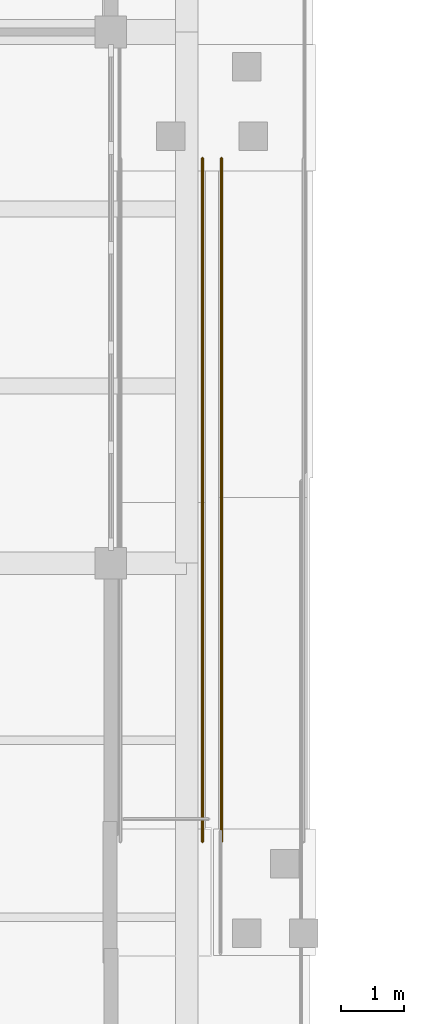
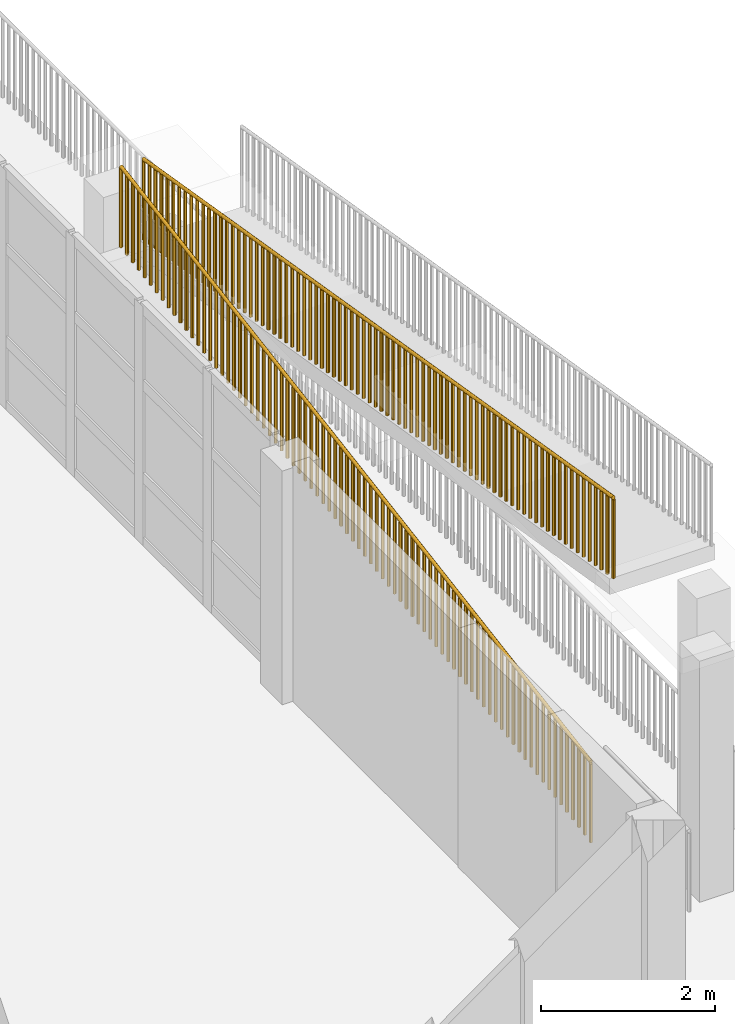
# One storey, part 31 of 33: 2 railings.
"""IFC4 building model written with IfcOpenShell, lengths in metres."""

from ifc_helpers import new_model, si_unit, direction, frame, origin, origin_2d, place, context, subcontext, project, spatial, circle, extrude, material, type_object, element, save


model = new_model("IFC4")

# Units and contexts
model_context = context("Model", 3, precision=1e-05, world=origin(), true_north=direction((0.0, 1.0)))
body_context = subcontext(model_context, "Body", "Model", "MODEL_VIEW")
ifc_project = project(units=[si_unit("LENGTHUNIT", "METRE"), si_unit("AREAUNIT", "SQUARE_METRE"), si_unit("VOLUMEUNIT", "CUBIC_METRE"), si_unit("PLANEANGLEUNIT", "RADIAN"), si_unit("MASSUNIT", "GRAM", prefix="KILO")], contexts=[model_context])

# Site, building, storey
site_placement = place(None, origin())
site = spatial("IfcSite", under=ifc_project, at=site_placement, CompositionType="ELEMENT")
building_placement = place(site_placement, origin())
building = spatial("IfcBuilding", under=site, at=building_placement, Name="Vanh Quang Courtyard School", CompositionType="ELEMENT")
storey_placement = place(building_placement, frame((0.0, 0.0, 18.60009765625)))
storey = spatial("IfcBuildingStorey", under=building, at=storey_placement, Name="L05", CompositionType="ELEMENT", Elevation=18.60009765625)

# Railings
ifc_material = material(Name="Galvanised painted steel EN 10025-2 S355J2", Category="steel")
railing_type = type_object("IfcRailingType", Name="RAIL-GUARD-1150", PredefinedType="BALUSTRADE", material=ifc_material)
railing_1_placement = place(storey_placement, frame((111.25, 75.39990234375, 0.0)))
element("IfcRailing", 1, at=railing_1_placement, inside=storey, type_object=railing_type, Name="Railing GR-01 (L05)", PredefinedType="BALUSTRADE", context=body_context, shape_type="SweptSolid", body=[
    extrude(circle(Radius=0.02392578125, at=origin_2d()), frame((0.0, 0.0, 1.1259765625), z_axis=(0.0, 0.986396936911, 0.164380907813), x_axis=(-1.0, 0.0, 0.0)), (0.0, 0.0, 1.0), 10.948974609375),
    extrude(circle(Radius=0.02099609375, at=origin_2d()), origin(), (0.0, 0.0, 1.0), 1.101806640625),
    extrude(circle(Radius=0.02099609375, at=origin_2d()), frame((0.0, 0.13671875, 0.022705078125)), (0.0, 0.0, 1.0), 1.101806640625),
    extrude(circle(Radius=0.02099609375, at=origin_2d()), frame((0.0, 0.2734375, 0.045654296875)), (0.0, 0.0, 1.0), 1.101806640625),
    extrude(circle(Radius=0.02099609375, at=origin_2d()), frame((0.0, 0.41015625, 0.068359375)), (0.0, 0.0, 1.0), 1.101806640625),
    extrude(circle(Radius=0.02099609375, at=origin_2d()), frame((0.0, 0.546875, 0.091064453125)), (0.0, 0.0, 1.0), 1.101806640625),
    extrude(circle(Radius=0.02099609375, at=origin_2d()), frame((0.0, 0.68359375, 0.114013671875)), (0.0, 0.0, 1.0), 1.101806640625),
    extrude(circle(Radius=0.02099609375, at=origin_2d()), frame((0.0, 0.8203125, 0.13671875)), (0.0, 0.0, 1.0), 1.101806640625),
    extrude(circle(Radius=0.02099609375, at=origin_2d()), frame((0.0, 0.95703125, 0.159423828125)), (0.0, 0.0, 1.0), 1.101806640625),
    extrude(circle(Radius=0.02099609375, at=origin_2d()), frame((0.0, 1.09375, 0.182373046875)), (0.0, 0.0, 1.0), 1.101806640625),
    extrude(circle(Radius=0.02099609375, at=origin_2d()), frame((0.0, 1.23046875, 0.205078125)), (0.0, 0.0, 1.0), 1.101806640625),
    extrude(circle(Radius=0.02099609375, at=origin_2d()), frame((0.0, 1.3671875, 0.227783203125)), (0.0, 0.0, 1.0), 1.101806640625),
    extrude(circle(Radius=0.02099609375, at=origin_2d()), frame((0.0, 1.50390625, 0.25048828125)), (0.0, 0.0, 1.0), 1.101806640625),
    extrude(circle(Radius=0.02099609375, at=origin_2d()), frame((0.0, 1.640625, 0.2734375)), (0.0, 0.0, 1.0), 1.101806640625),
    extrude(circle(Radius=0.02099609375, at=origin_2d()), frame((0.0, 1.77734375, 0.296142578125)), (0.0, 0.0, 1.0), 1.101806640625),
    extrude(circle(Radius=0.02099609375, at=origin_2d()), frame((0.0, 1.913818359375, 0.31884765625)), (0.0, 0.0, 1.0), 1.101806640625),
    extrude(circle(Radius=0.02099609375, at=origin_2d()), frame((0.0, 2.050537109375, 0.341796875)), (0.0, 0.0, 1.0), 1.101806640625),
    extrude(circle(Radius=0.02099609375, at=origin_2d()), frame((0.0, 2.187255859375, 0.364501953125)), (0.0, 0.0, 1.0), 1.101806640625),
    extrude(circle(Radius=0.02099609375, at=origin_2d()), frame((0.0, 2.323974609375, 0.38720703125)), (0.0, 0.0, 1.0), 1.101806640625),
    extrude(circle(Radius=0.02099609375, at=origin_2d()), frame((0.0, 2.460693359375, 0.41015625)), (0.0, 0.0, 1.0), 1.101806640625),
    extrude(circle(Radius=0.02099609375, at=origin_2d()), frame((0.0, 2.597412109375, 0.432861328125)), (0.0, 0.0, 1.0), 1.101806640625),
    extrude(circle(Radius=0.02099609375, at=origin_2d()), frame((0.0, 2.734130859375, 0.45556640625)), (0.0, 0.0, 1.0), 1.101806640625),
    extrude(circle(Radius=0.02099609375, at=origin_2d()), frame((0.0, 2.870849609375, 0.478515625)), (0.0, 0.0, 1.0), 1.101806640625),
    extrude(circle(Radius=0.02099609375, at=origin_2d()), frame((0.0, 3.007568359375, 0.501220703125)), (0.0, 0.0, 1.0), 1.101806640625),
    extrude(circle(Radius=0.02099609375, at=origin_2d()), frame((0.0, 3.144287109375, 0.52392578125)), (0.0, 0.0, 1.0), 1.101806640625),
    extrude(circle(Radius=0.02099609375, at=origin_2d()), frame((0.0, 3.281005859375, 0.546875)), (0.0, 0.0, 1.0), 1.101806640625),
    extrude(circle(Radius=0.02099609375, at=origin_2d()), frame((0.0, 3.417724609375, 0.569580078125)), (0.0, 0.0, 1.0), 1.101806640625),
    extrude(circle(Radius=0.02099609375, at=origin_2d()), frame((0.0, 3.554443359375, 0.59228515625)), (0.0, 0.0, 1.0), 1.101806640625),
    extrude(circle(Radius=0.02099609375, at=origin_2d()), frame((0.0, 3.691162109375, 0.615234375)), (0.0, 0.0, 1.0), 1.101806640625),
    extrude(circle(Radius=0.02099609375, at=origin_2d()), frame((0.0, 3.827880859375, 0.637939453125)), (0.0, 0.0, 1.0), 1.101806640625),
    extrude(circle(Radius=0.02099609375, at=origin_2d()), frame((0.0, 3.964599609375, 0.66064453125)), (0.0, 0.0, 1.0), 1.101806640625),
    extrude(circle(Radius=0.02099609375, at=origin_2d()), frame((0.0, 4.101318359375, 0.683349609375)), (0.0, 0.0, 1.0), 1.101806640625),
    extrude(circle(Radius=0.02099609375, at=origin_2d()), frame((0.0, 4.238037109375, 0.706298828125)), (0.0, 0.0, 1.0), 1.101806640625),
    extrude(circle(Radius=0.02099609375, at=origin_2d()), frame((0.0, 4.374755859375, 0.72900390625)), (0.0, 0.0, 1.0), 1.101806640625),
    extrude(circle(Radius=0.02099609375, at=origin_2d()), frame((0.0, 4.511474609375, 0.751708984375)), (0.0, 0.0, 1.0), 1.101806640625),
    extrude(circle(Radius=0.02099609375, at=origin_2d()), frame((0.0, 4.648193359375, 0.774658203125)), (0.0, 0.0, 1.0), 1.101806640625),
    extrude(circle(Radius=0.02099609375, at=origin_2d()), frame((0.0, 4.784912109375, 0.79736328125)), (0.0, 0.0, 1.0), 1.101806640625),
    extrude(circle(Radius=0.02099609375, at=origin_2d()), frame((0.0, 4.921630859375, 0.820068359375)), (0.0, 0.0, 1.0), 1.101806640625),
    extrude(circle(Radius=0.02099609375, at=origin_2d()), frame((0.0, 5.058349609375, 0.843017578125)), (0.0, 0.0, 1.0), 1.101806640625),
    extrude(circle(Radius=0.02099609375, at=origin_2d()), frame((0.0, 5.195068359375, 0.86572265625)), (0.0, 0.0, 1.0), 1.101806640625),
    extrude(circle(Radius=0.02099609375, at=origin_2d()), frame((0.0, 5.331787109375, 0.888427734375)), (0.0, 0.0, 1.0), 1.101806640625),
    extrude(circle(Radius=0.02099609375, at=origin_2d()), frame((0.0, 5.46826171875, 0.911376953125)), (0.0, 0.0, 1.0), 1.101806640625),
    extrude(circle(Radius=0.02099609375, at=origin_2d()), frame((0.0, 5.60498046875, 0.93408203125)), (0.0, 0.0, 1.0), 1.101806640625),
    extrude(circle(Radius=0.02099609375, at=origin_2d()), frame((0.0, 5.74169921875, 0.956787109375)), (0.0, 0.0, 1.0), 1.101806640625),
    extrude(circle(Radius=0.02099609375, at=origin_2d()), frame((0.0, 5.87841796875, 0.979736328125)), (0.0, 0.0, 1.0), 1.101806640625),
    extrude(circle(Radius=0.02099609375, at=origin_2d()), frame((0.0, 6.01513671875, 1.00244140625)), (0.0, 0.0, 1.0), 1.101806640625),
    extrude(circle(Radius=0.02099609375, at=origin_2d()), frame((0.0, 6.15185546875, 1.025146484375)), (0.0, 0.0, 1.0), 1.101806640625),
    extrude(circle(Radius=0.02099609375, at=origin_2d()), frame((0.0, 6.28857421875, 1.048095703125)), (0.0, 0.0, 1.0), 1.101806640625),
    extrude(circle(Radius=0.02099609375, at=origin_2d()), frame((0.0, 6.42529296875, 1.07080078125)), (0.0, 0.0, 1.0), 1.101806640625),
    extrude(circle(Radius=0.02099609375, at=origin_2d()), frame((0.0, 6.56201171875, 1.093505859375)), (0.0, 0.0, 1.0), 1.101806640625),
    extrude(circle(Radius=0.02099609375, at=origin_2d()), frame((0.0, 6.69873046875, 1.116455078125)), (0.0, 0.0, 1.0), 1.101806640625),
    extrude(circle(Radius=0.02099609375, at=origin_2d()), frame((0.0, 6.83544921875, 1.13916015625)), (0.0, 0.0, 1.0), 1.101806640625),
    extrude(circle(Radius=0.02099609375, at=origin_2d()), frame((0.0, 6.97216796875, 1.161865234375)), (0.0, 0.0, 1.0), 1.101806640625),
    extrude(circle(Radius=0.02099609375, at=origin_2d()), frame((0.0, 7.10888671875, 1.1845703125)), (0.0, 0.0, 1.0), 1.101806640625),
    extrude(circle(Radius=0.02099609375, at=origin_2d()), frame((0.0, 7.24560546875, 1.20751953125)), (0.0, 0.0, 1.0), 1.101806640625),
    extrude(circle(Radius=0.02099609375, at=origin_2d()), frame((0.0, 7.38232421875, 1.230224609375)), (0.0, 0.0, 1.0), 1.101806640625),
    extrude(circle(Radius=0.02099609375, at=origin_2d()), frame((0.0, 7.51904296875, 1.2529296875)), (0.0, 0.0, 1.0), 1.101806640625),
    extrude(circle(Radius=0.02099609375, at=origin_2d()), frame((0.0, 7.65576171875, 1.27587890625)), (0.0, 0.0, 1.0), 1.101806640625),
    extrude(circle(Radius=0.02099609375, at=origin_2d()), frame((0.0, 7.79248046875, 1.298583984375)), (0.0, 0.0, 1.0), 1.101806640625),
    extrude(circle(Radius=0.02099609375, at=origin_2d()), frame((0.0, 7.92919921875, 1.3212890625)), (0.0, 0.0, 1.0), 1.101806640625),
    extrude(circle(Radius=0.02099609375, at=origin_2d()), frame((0.0, 8.06591796875, 1.34423828125)), (0.0, 0.0, 1.0), 1.101806640625),
    extrude(circle(Radius=0.02099609375, at=origin_2d()), frame((0.0, 8.20263671875, 1.366943359375)), (0.0, 0.0, 1.0), 1.101806640625),
    extrude(circle(Radius=0.02099609375, at=origin_2d()), frame((0.0, 8.33935546875, 1.3896484375)), (0.0, 0.0, 1.0), 1.101806640625),
    extrude(circle(Radius=0.02099609375, at=origin_2d()), frame((0.0, 8.47607421875, 1.41259765625)), (0.0, 0.0, 1.0), 1.101806640625),
    extrude(circle(Radius=0.02099609375, at=origin_2d()), frame((0.0, 8.61279296875, 1.435302734375)), (0.0, 0.0, 1.0), 1.101806640625),
    extrude(circle(Radius=0.02099609375, at=origin_2d()), frame((0.0, 8.74951171875, 1.4580078125)), (0.0, 0.0, 1.0), 1.101806640625),
    extrude(circle(Radius=0.02099609375, at=origin_2d()), frame((0.0, 8.88623046875, 1.48095703125)), (0.0, 0.0, 1.0), 1.101806640625),
    extrude(circle(Radius=0.02099609375, at=origin_2d()), frame((0.0, 9.022705078125, 1.503662109375)), (0.0, 0.0, 1.0), 1.101806640625),
    extrude(circle(Radius=0.02099609375, at=origin_2d()), frame((0.0, 9.159423828125, 1.5263671875)), (0.0, 0.0, 1.0), 1.101806640625),
    extrude(circle(Radius=0.02099609375, at=origin_2d()), frame((0.0, 9.296142578125, 1.54931640625)), (0.0, 0.0, 1.0), 1.101806640625),
    extrude(circle(Radius=0.02099609375, at=origin_2d()), frame((0.0, 9.432861328125, 1.572021484375)), (0.0, 0.0, 1.0), 1.101806640625),
    extrude(circle(Radius=0.02099609375, at=origin_2d()), frame((0.0, 9.569580078125, 1.5947265625)), (0.0, 0.0, 1.0), 1.101806640625),
    extrude(circle(Radius=0.02099609375, at=origin_2d()), frame((0.0, 9.706298828125, 1.617431640625)), (0.0, 0.0, 1.0), 1.101806640625),
    extrude(circle(Radius=0.02099609375, at=origin_2d()), frame((0.0, 9.843017578125, 1.640380859375)), (0.0, 0.0, 1.0), 1.101806640625),
    extrude(circle(Radius=0.02099609375, at=origin_2d()), frame((0.0, 9.979736328125, 1.6630859375)), (0.0, 0.0, 1.0), 1.101806640625),
    extrude(circle(Radius=0.02099609375, at=origin_2d()), frame((0.0, 10.116455078125, 1.685791015625)), (0.0, 0.0, 1.0), 1.101806640625),
    extrude(circle(Radius=0.02099609375, at=origin_2d()), frame((0.0, 10.253173828125, 1.708740234375)), (0.0, 0.0, 1.0), 1.101806640625),
    extrude(circle(Radius=0.02099609375, at=origin_2d()), frame((0.0, 10.389892578125, 1.7314453125)), (0.0, 0.0, 1.0), 1.101806640625),
    extrude(circle(Radius=0.02099609375, at=origin_2d()), frame((0.0, 10.526611328125, 1.754150390625)), (0.0, 0.0, 1.0), 1.101806640625),
    extrude(circle(Radius=0.02099609375, at=origin_2d()), frame((0.0, 10.663330078125, 1.777099609375)), (0.0, 0.0, 1.0), 1.101806640625),
    extrude(circle(Radius=0.02099609375, at=origin_2d()), frame((0.0, 10.800048828125, 1.7998046875)), (0.0, 0.0, 1.0), 1.101806640625),
])
railing_2_placement = place(storey_placement, frame((111.550048828125, 86.199951171875, 1.7998046875)))
element("IfcRailing", 2, at=railing_2_placement, inside=storey, type_object=railing_type, Name="Railing GR-01 (L05)", PredefinedType="BALUSTRADE", context=body_context, shape_type="SweptSolid", body=[
    extrude(circle(Radius=0.02392578125, at=origin_2d()), frame((0.0, 0.0, 1.1259765625), z_axis=(0.0, -0.986393321179, 0.164402603184), x_axis=(1.0, 0.0, 0.0)), (0.0, 0.0, 1.0), 10.948974609375),
    extrude(circle(Radius=0.02099609375, at=origin_2d()), origin(), (0.0, 0.0, 1.0), 1.101806640625),
    extrude(circle(Radius=0.02099609375, at=origin_2d()), frame((0.0, -0.13671875, 0.022705078125)), (0.0, 0.0, 1.0), 1.101806640625),
    extrude(circle(Radius=0.02099609375, at=origin_2d()), frame((0.0, -0.2734375, 0.045654296875)), (0.0, 0.0, 1.0), 1.101806640625),
    extrude(circle(Radius=0.02099609375, at=origin_2d()), frame((0.0, -0.41015625, 0.068359375)), (0.0, 0.0, 1.0), 1.101806640625),
    extrude(circle(Radius=0.02099609375, at=origin_2d()), frame((0.0, -0.546875, 0.091064453125)), (0.0, 0.0, 1.0), 1.101806640625),
    extrude(circle(Radius=0.02099609375, at=origin_2d()), frame((0.0, -0.68359375, 0.114013671875)), (0.0, 0.0, 1.0), 1.101806640625),
    extrude(circle(Radius=0.02099609375, at=origin_2d()), frame((0.0, -0.8203125, 0.13671875)), (0.0, 0.0, 1.0), 1.101806640625),
    extrude(circle(Radius=0.02099609375, at=origin_2d()), frame((0.0, -0.95703125, 0.159423828125)), (0.0, 0.0, 1.0), 1.101806640625),
    extrude(circle(Radius=0.02099609375, at=origin_2d()), frame((0.0, -1.09375, 0.182373046875)), (0.0, 0.0, 1.0), 1.101806640625),
    extrude(circle(Radius=0.02099609375, at=origin_2d()), frame((0.0, -1.23046875, 0.205078125)), (0.0, 0.0, 1.0), 1.101806640625),
    extrude(circle(Radius=0.02099609375, at=origin_2d()), frame((0.0, -1.3671875, 0.227783203125)), (0.0, 0.0, 1.0), 1.101806640625),
    extrude(circle(Radius=0.02099609375, at=origin_2d()), frame((0.0, -1.50390625, 0.250732421875)), (0.0, 0.0, 1.0), 1.101806640625),
    extrude(circle(Radius=0.02099609375, at=origin_2d()), frame((0.0, -1.640625, 0.2734375)), (0.0, 0.0, 1.0), 1.101806640625),
    extrude(circle(Radius=0.02099609375, at=origin_2d()), frame((0.0, -1.77734375, 0.296142578125)), (0.0, 0.0, 1.0), 1.101806640625),
    extrude(circle(Radius=0.02099609375, at=origin_2d()), frame((0.0, -1.913818359375, 0.319091796875)), (0.0, 0.0, 1.0), 1.101806640625),
    extrude(circle(Radius=0.02099609375, at=origin_2d()), frame((0.0, -2.050537109375, 0.341796875)), (0.0, 0.0, 1.0), 1.101806640625),
    extrude(circle(Radius=0.02099609375, at=origin_2d()), frame((0.0, -2.187255859375, 0.364501953125)), (0.0, 0.0, 1.0), 1.101806640625),
    extrude(circle(Radius=0.02099609375, at=origin_2d()), frame((0.0, -2.323974609375, 0.387451171875)), (0.0, 0.0, 1.0), 1.101806640625),
    extrude(circle(Radius=0.02099609375, at=origin_2d()), frame((0.0, -2.460693359375, 0.41015625)), (0.0, 0.0, 1.0), 1.101806640625),
    extrude(circle(Radius=0.02099609375, at=origin_2d()), frame((0.0, -2.597412109375, 0.432861328125)), (0.0, 0.0, 1.0), 1.101806640625),
    extrude(circle(Radius=0.02099609375, at=origin_2d()), frame((0.0, -2.734130859375, 0.455810546875)), (0.0, 0.0, 1.0), 1.101806640625),
    extrude(circle(Radius=0.02099609375, at=origin_2d()), frame((0.0, -2.870849609375, 0.478515625)), (0.0, 0.0, 1.0), 1.101806640625),
    extrude(circle(Radius=0.02099609375, at=origin_2d()), frame((0.0, -3.007568359375, 0.501220703125)), (0.0, 0.0, 1.0), 1.101806640625),
    extrude(circle(Radius=0.02099609375, at=origin_2d()), frame((0.0, -3.144287109375, 0.524169921875)), (0.0, 0.0, 1.0), 1.101806640625),
    extrude(circle(Radius=0.02099609375, at=origin_2d()), frame((0.0, -3.281005859375, 0.546875)), (0.0, 0.0, 1.0), 1.101806640625),
    extrude(circle(Radius=0.02099609375, at=origin_2d()), frame((0.0, -3.417724609375, 0.569580078125)), (0.0, 0.0, 1.0), 1.101806640625),
    extrude(circle(Radius=0.02099609375, at=origin_2d()), frame((0.0, -3.554443359375, 0.592529296875)), (0.0, 0.0, 1.0), 1.101806640625),
    extrude(circle(Radius=0.02099609375, at=origin_2d()), frame((0.0, -3.691162109375, 0.615234375)), (0.0, 0.0, 1.0), 1.101806640625),
    extrude(circle(Radius=0.02099609375, at=origin_2d()), frame((0.0, -3.827880859375, 0.637939453125)), (0.0, 0.0, 1.0), 1.101806640625),
    extrude(circle(Radius=0.02099609375, at=origin_2d()), frame((0.0, -3.964599609375, 0.660888671875)), (0.0, 0.0, 1.0), 1.101806640625),
    extrude(circle(Radius=0.02099609375, at=origin_2d()), frame((0.0, -4.101318359375, 0.68359375)), (0.0, 0.0, 1.0), 1.101806640625),
    extrude(circle(Radius=0.02099609375, at=origin_2d()), frame((0.0, -4.238037109375, 0.706298828125)), (0.0, 0.0, 1.0), 1.101806640625),
    extrude(circle(Radius=0.02099609375, at=origin_2d()), frame((0.0, -4.374755859375, 0.729248046875)), (0.0, 0.0, 1.0), 1.101806640625),
    extrude(circle(Radius=0.02099609375, at=origin_2d()), frame((0.0, -4.511474609375, 0.751953125)), (0.0, 0.0, 1.0), 1.101806640625),
    extrude(circle(Radius=0.02099609375, at=origin_2d()), frame((0.0, -4.648193359375, 0.774658203125)), (0.0, 0.0, 1.0), 1.101806640625),
    extrude(circle(Radius=0.02099609375, at=origin_2d()), frame((0.0, -4.784912109375, 0.797607421875)), (0.0, 0.0, 1.0), 1.101806640625),
    extrude(circle(Radius=0.02099609375, at=origin_2d()), frame((0.0, -4.921630859375, 0.8203125)), (0.0, 0.0, 1.0), 1.101806640625),
    extrude(circle(Radius=0.02099609375, at=origin_2d()), frame((0.0, -5.058349609375, 0.843017578125)), (0.0, 0.0, 1.0), 1.101806640625),
    extrude(circle(Radius=0.02099609375, at=origin_2d()), frame((0.0, -5.195068359375, 0.865966796875)), (0.0, 0.0, 1.0), 1.101806640625),
    extrude(circle(Radius=0.02099609375, at=origin_2d()), frame((0.0, -5.331787109375, 0.888671875)), (0.0, 0.0, 1.0), 1.101806640625),
    extrude(circle(Radius=0.02099609375, at=origin_2d()), frame((0.0, -5.46826171875, 0.911376953125)), (0.0, 0.0, 1.0), 1.101806640625),
    extrude(circle(Radius=0.02099609375, at=origin_2d()), frame((0.0, -5.60498046875, 0.93408203125)), (0.0, 0.0, 1.0), 1.101806640625),
    extrude(circle(Radius=0.02099609375, at=origin_2d()), frame((0.0, -5.74169921875, 0.95703125)), (0.0, 0.0, 1.0), 1.101806640625),
    extrude(circle(Radius=0.02099609375, at=origin_2d()), frame((0.0, -5.87841796875, 0.979736328125)), (0.0, 0.0, 1.0), 1.101806640625),
    extrude(circle(Radius=0.02099609375, at=origin_2d()), frame((0.0, -6.01513671875, 1.00244140625)), (0.0, 0.0, 1.0), 1.101806640625),
    extrude(circle(Radius=0.02099609375, at=origin_2d()), frame((0.0, -6.15185546875, 1.025390625)), (0.0, 0.0, 1.0), 1.101806640625),
    extrude(circle(Radius=0.02099609375, at=origin_2d()), frame((0.0, -6.28857421875, 1.048095703125)), (0.0, 0.0, 1.0), 1.101806640625),
    extrude(circle(Radius=0.02099609375, at=origin_2d()), frame((0.0, -6.42529296875, 1.07080078125)), (0.0, 0.0, 1.0), 1.101806640625),
    extrude(circle(Radius=0.02099609375, at=origin_2d()), frame((0.0, -6.56201171875, 1.09375)), (0.0, 0.0, 1.0), 1.101806640625),
    extrude(circle(Radius=0.02099609375, at=origin_2d()), frame((0.0, -6.69873046875, 1.116455078125)), (0.0, 0.0, 1.0), 1.101806640625),
    extrude(circle(Radius=0.02099609375, at=origin_2d()), frame((0.0, -6.83544921875, 1.13916015625)), (0.0, 0.0, 1.0), 1.101806640625),
    extrude(circle(Radius=0.02099609375, at=origin_2d()), frame((0.0, -6.97216796875, 1.162109375)), (0.0, 0.0, 1.0), 1.101806640625),
    extrude(circle(Radius=0.02099609375, at=origin_2d()), frame((0.0, -7.10888671875, 1.184814453125)), (0.0, 0.0, 1.0), 1.101806640625),
    extrude(circle(Radius=0.02099609375, at=origin_2d()), frame((0.0, -7.24560546875, 1.20751953125)), (0.0, 0.0, 1.0), 1.101806640625),
    extrude(circle(Radius=0.02099609375, at=origin_2d()), frame((0.0, -7.38232421875, 1.23046875)), (0.0, 0.0, 1.0), 1.101806640625),
    extrude(circle(Radius=0.02099609375, at=origin_2d()), frame((0.0, -7.51904296875, 1.253173828125)), (0.0, 0.0, 1.0), 1.101806640625),
    extrude(circle(Radius=0.02099609375, at=origin_2d()), frame((0.0, -7.65576171875, 1.27587890625)), (0.0, 0.0, 1.0), 1.101806640625),
    extrude(circle(Radius=0.02099609375, at=origin_2d()), frame((0.0, -7.79248046875, 1.298828125)), (0.0, 0.0, 1.0), 1.101806640625),
    extrude(circle(Radius=0.02099609375, at=origin_2d()), frame((0.0, -7.92919921875, 1.321533203125)), (0.0, 0.0, 1.0), 1.101806640625),
    extrude(circle(Radius=0.02099609375, at=origin_2d()), frame((0.0, -8.06591796875, 1.34423828125)), (0.0, 0.0, 1.0), 1.101806640625),
    extrude(circle(Radius=0.02099609375, at=origin_2d()), frame((0.0, -8.20263671875, 1.3671875)), (0.0, 0.0, 1.0), 1.101806640625),
    extrude(circle(Radius=0.02099609375, at=origin_2d()), frame((0.0, -8.33935546875, 1.389892578125)), (0.0, 0.0, 1.0), 1.101806640625),
    extrude(circle(Radius=0.02099609375, at=origin_2d()), frame((0.0, -8.47607421875, 1.41259765625)), (0.0, 0.0, 1.0), 1.101806640625),
    extrude(circle(Radius=0.02099609375, at=origin_2d()), frame((0.0, -8.61279296875, 1.435546875)), (0.0, 0.0, 1.0), 1.101806640625),
    extrude(circle(Radius=0.02099609375, at=origin_2d()), frame((0.0, -8.74951171875, 1.458251953125)), (0.0, 0.0, 1.0), 1.101806640625),
    extrude(circle(Radius=0.02099609375, at=origin_2d()), frame((0.0, -8.88623046875, 1.48095703125)), (0.0, 0.0, 1.0), 1.101806640625),
    extrude(circle(Radius=0.02099609375, at=origin_2d()), frame((0.0, -9.022705078125, 1.50390625)), (0.0, 0.0, 1.0), 1.101806640625),
    extrude(circle(Radius=0.02099609375, at=origin_2d()), frame((0.0, -9.159423828125, 1.526611328125)), (0.0, 0.0, 1.0), 1.101806640625),
    extrude(circle(Radius=0.02099609375, at=origin_2d()), frame((0.0, -9.296142578125, 1.54931640625)), (0.0, 0.0, 1.0), 1.101806640625),
    extrude(circle(Radius=0.02099609375, at=origin_2d()), frame((0.0, -9.432861328125, 1.572265625)), (0.0, 0.0, 1.0), 1.101806640625),
    extrude(circle(Radius=0.02099609375, at=origin_2d()), frame((0.0, -9.569580078125, 1.594970703125)), (0.0, 0.0, 1.0), 1.101806640625),
    extrude(circle(Radius=0.02099609375, at=origin_2d()), frame((0.0, -9.706298828125, 1.61767578125)), (0.0, 0.0, 1.0), 1.101806640625),
    extrude(circle(Radius=0.02099609375, at=origin_2d()), frame((0.0, -9.843017578125, 1.640625)), (0.0, 0.0, 1.0), 1.101806640625),
    extrude(circle(Radius=0.02099609375, at=origin_2d()), frame((0.0, -9.979736328125, 1.663330078125)), (0.0, 0.0, 1.0), 1.101806640625),
    extrude(circle(Radius=0.02099609375, at=origin_2d()), frame((0.0, -10.116455078125, 1.68603515625)), (0.0, 0.0, 1.0), 1.101806640625),
    extrude(circle(Radius=0.02099609375, at=origin_2d()), frame((0.0, -10.253173828125, 1.708984375)), (0.0, 0.0, 1.0), 1.101806640625),
    extrude(circle(Radius=0.02099609375, at=origin_2d()), frame((0.0, -10.389892578125, 1.731689453125)), (0.0, 0.0, 1.0), 1.101806640625),
    extrude(circle(Radius=0.02099609375, at=origin_2d()), frame((0.0, -10.526611328125, 1.75439453125)), (0.0, 0.0, 1.0), 1.101806640625),
    extrude(circle(Radius=0.02099609375, at=origin_2d()), frame((0.0, -10.663330078125, 1.77734375)), (0.0, 0.0, 1.0), 1.101806640625),
    extrude(circle(Radius=0.02099609375, at=origin_2d()), frame((0.0, -10.800048828125, 1.800048828125)), (0.0, 0.0, 1.0), 1.101806640625),
])

save(model, "model.ifc")
